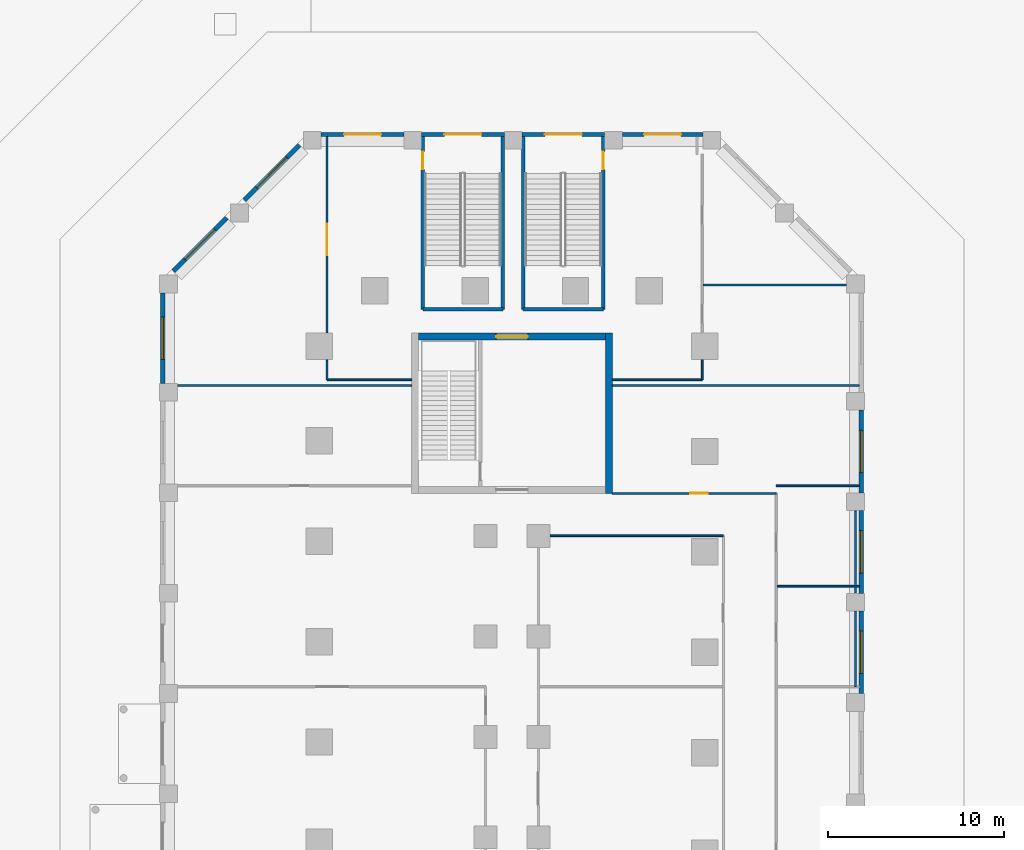
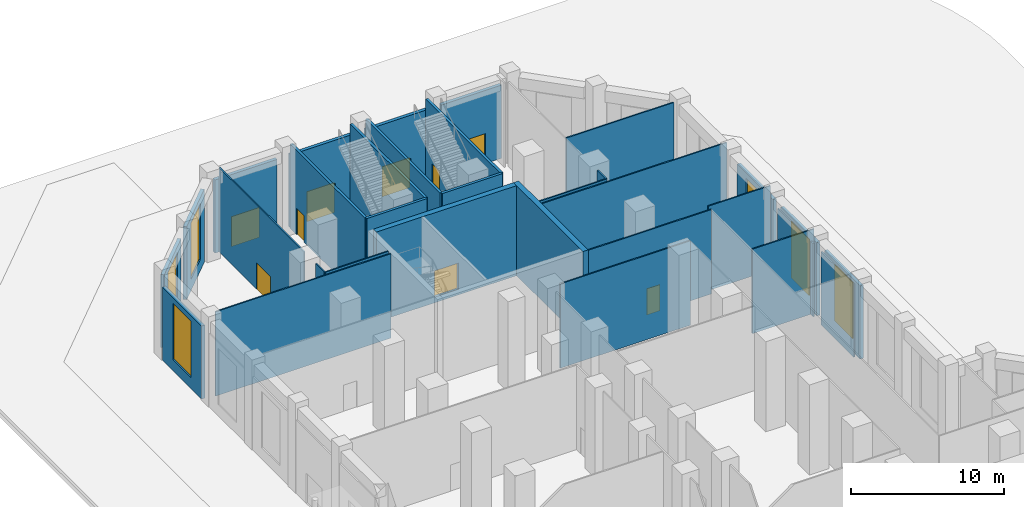
# One storey, part 19 of 27: 32 walls, 9 doors, 6 windows, 15 openings.
"""IFC4 building model written with IfcOpenShell, lengths in metres."""

import ifcopenshell
import ifcopenshell.guid

model = None  # the IFC model being written
_history = None  # IfcOwnerHistory: only IFC2X3 demands one
_inside = {}  # id of a spatial element -> (the spatial element, [elements in it])
_under = {}  # id of a project, library or spatial element -> (it, [spatial elements below it])
_declared = {}  # id of a project -> (the project, [libraries it declares])
_typed = {}  # id of a type object -> (the type object, [elements of that type])
_made_of = {}  # id of a material, layer set ... -> (it, [elements and type objects made of it])


def new_model(schema):
    """Start an empty IFC model of exactly this schema.

    Asked for "IFC4X3", IfcOpenShell would pick the latest addendum, in which some entities
    have other attributes; the version numbers below select the first issue.
    IFC2X3 requires an IfcOwnerHistory on every rooted entity: one is made here for all.
    """
    global model, _history
    if schema == "IFC4X3":
        model = ifcopenshell.file(schema_version=(4, 3, 0, 0))
    else:
        model = ifcopenshell.file(schema=schema)
    _inside.clear()
    _under.clear()
    _declared.clear()
    _typed.clear()
    _made_of.clear()
    _history = None
    if model.schema == "IFC2X3":
        org = make("IfcOrganization", Name="unknown")
        user = make(
            "IfcPersonAndOrganization",
            ThePerson=make("IfcPerson", FamilyName="unknown"),
            TheOrganization=org,
        )
        app = make(
            "IfcApplication",
            ApplicationDeveloper=org,
            Version="unknown",
            ApplicationFullName="unknown",
            ApplicationIdentifier="unknown",
        )
        _history = make(
            "IfcOwnerHistory",
            OwningUser=user,
            OwningApplication=app,
            ChangeAction="ADDED",
            CreationDate=0,
        )
    return model


def make(cls, **values):
    """One entity of the class cls with the attributes given. An attribute that is None is left unset."""
    return model.create_entity(
        cls, **{name: value for name, value in values.items() if value is not None}
    )


def rooted(cls, **values):
    """An entity with a GlobalId (a new one), such as an element, a storey or a relation."""
    return make(cls, GlobalId=ifcopenshell.guid.new(), OwnerHistory=_history, **values)


def si_unit(unit_type, name, prefix=None):
    """IfcSIUnit, for example si_unit("LENGTHUNIT", "METRE", prefix="MILLI")."""
    return make("IfcSIUnit", UnitType=unit_type, Prefix=prefix, Name=name)


def assignment(units):
    """IfcUnitAssignment: the units of a project."""
    return None if units is None else make("IfcUnitAssignment", Units=units)


def point(xyz):
    """IfcCartesianPoint."""
    return None if xyz is None else make("IfcCartesianPoint", Coordinates=xyz)


def direction(xyz):
    """IfcDirection."""
    return None if xyz is None else make("IfcDirection", DirectionRatios=xyz)


def frame(location, z_axis=None, x_axis=None):
    """IfcAxis2Placement3D, a coordinate frame: its origin and axes. An axis left out is left unset."""
    return make(
        "IfcAxis2Placement3D",
        Location=point(location),
        Axis=direction(z_axis),
        RefDirection=direction(x_axis),
    )


def frame_2d(location, x_axis=None):
    """IfcAxis2Placement2D, a coordinate frame in the plane: its origin and x axis."""
    return make(
        "IfcAxis2Placement2D", Location=point(location), RefDirection=direction(x_axis)
    )


def origin():
    """The frame at (0, 0, 0) with its axes left unset."""
    return frame((0.0, 0.0, 0.0))


def place(relative_to, where):
    """IfcLocalPlacement: puts the frame where relative to a parent placement (None: the world)."""
    return make(
        "IfcLocalPlacement", PlacementRelTo=relative_to, RelativePlacement=where
    )


def context(
    kind, dimensions, precision=None, world=None, true_north=None, identifier=None
):
    """IfcGeometricRepresentationContext, for example the 3D "Model" context."""
    return make(
        "IfcGeometricRepresentationContext",
        ContextIdentifier=identifier,
        ContextType=kind,
        CoordinateSpaceDimension=dimensions,
        Precision=precision,
        WorldCoordinateSystem=world,
        TrueNorth=true_north,
    )


def subcontext(parent, identifier, kind, view, scale=None):
    """IfcGeometricRepresentationSubContext, for example "Body" below "Model"."""
    return make(
        "IfcGeometricRepresentationSubContext",
        ContextIdentifier=identifier,
        ContextType=kind,
        ParentContext=parent,
        TargetScale=scale,
        TargetView=view,
    )


def project(units=None, contexts=None):
    """IfcProject with its units and contexts."""
    return rooted(
        "IfcProject",
        Name="project",
        RepresentationContexts=contexts,
        UnitsInContext=assignment(units),
    )


def spatial(cls, under=None, at=None, **own):
    """A site, building, storey or space (cls), placed at a placement, below another one or the project."""
    s = rooted(cls, ObjectPlacement=at, **own)
    if under is not None:
        _under.setdefault(under.id(), (under, []))[1].append(s)
    return s


def profile(cls, at=None, kind="AREA", **sizes):
    """A parametric profile (cls). Its sizes go by their IFC names, for example OverallWidth=200.0."""
    return make(cls, ProfileType=kind, Position=at, **sizes)


def rectangle(**sizes):
    """IfcRectangleProfileDef."""
    return profile("IfcRectangleProfileDef", **sizes)


def extrude(swept, where, along, depth):
    """IfcExtrudedAreaSolid: the profile swept, set in the frame where, extruded along a direction by depth."""
    return make(
        "IfcExtrudedAreaSolid",
        SweptArea=swept,
        Position=where,
        ExtrudedDirection=direction(along),
        Depth=depth,
    )


def shape(context_of_items, identifier, shape_type, items):
    """IfcShapeRepresentation: the items that make up one representation, for example the "Body"."""
    return make(
        "IfcShapeRepresentation",
        ContextOfItems=context_of_items,
        RepresentationIdentifier=identifier,
        RepresentationType=shape_type,
        Items=items,
    )


def material(Name=None, Category=None):
    """IfcMaterial."""
    return make("IfcMaterial", Name=Name, Category=Category)


def layer(
    of_material, thickness, ventilated=None, Name=None, Category=None, Priority=None
):
    """IfcMaterialLayer: one layer of a wall or slab, of a material (None: an air gap)."""
    return make(
        "IfcMaterialLayer",
        Material=of_material,
        LayerThickness=thickness,
        IsVentilated=ventilated,
        Name=Name,
        Category=Category,
        Priority=Priority,
    )


def layer_set(layers, Name=None):
    """IfcMaterialLayerSet."""
    return make("IfcMaterialLayerSet", MaterialLayers=layers, LayerSetName=Name)


def made_of(thing, what):
    """Note that an element or type object is made of a material, layer set ...; save() writes the relation."""
    if what is not None:
        _made_of.setdefault(what.id(), (what, []))[1].append(thing)
    return thing


def type_object(cls, material=None, **own):
    """A type object (cls), such as IfcWallType, which elements share."""
    return made_of(rooted(cls, **own), material)


def element(
    cls,
    number,
    at=None,
    inside=None,
    cuts=None,
    type_object=None,
    material=None,
    context=None,
    identifier="Body",
    shape_type=None,
    held_by="IfcProductDefinitionShape",
    body=None,
    shapes=None,
    **own,
):
    """One element of the class cls, such as IfcWall. Its Tag is "e" and its number.

    at: its placement. inside: the storey or other place that contains it. cuts: it is an
    opening in that element (IfcRelVoidsElement). A single representation is given by context,
    identifier, shape_type and body (its items); several are given by shapes. held_by: the class
    of the entity that holds the representations. save() writes the other relations.
    """
    e = rooted(cls, Tag="e%d" % number, ObjectPlacement=at, **own)
    if body is not None:
        shapes = [shape(context, identifier, shape_type, body)]
    if shapes is not None:
        e.Representation = make(held_by, Representations=shapes)
    if inside is not None:
        _inside.setdefault(inside.id(), (inside, []))[1].append(e)
    if cuts is not None:
        rooted(
            "IfcRelVoidsElement", RelatingBuildingElement=cuts, RelatedOpeningElement=e
        )
    if type_object is not None:
        _typed.setdefault(type_object.id(), (type_object, []))[1].append(e)
    return made_of(e, material)


def fill(opening, filler):
    """IfcRelFillsElement: the door or window that sits in an opening."""
    return rooted(
        "IfcRelFillsElement",
        RelatingOpeningElement=opening,
        RelatedBuildingElement=filler,
    )


def aggregate(whole, parts):
    """IfcRelAggregates: a whole, such as a stair, and the parts it consists of."""
    return rooted("IfcRelAggregates", RelatingObject=whole, RelatedObjects=parts)


def save(model, path):
    """Write the relations noted so far, then the file.

    IfcRelAggregates (storeys below a building ...), IfcRelContainedInSpatialStructure (elements
    in a storey), IfcRelDefinesByType, IfcRelAssociatesMaterial and IfcRelDeclares: one each for
    every whole, place, type object, material and project.
    """
    for whole, parts in _under.values():
        aggregate(whole, parts)
    for where, things in _inside.values():
        rooted(
            "IfcRelContainedInSpatialStructure",
            RelatedElements=things,
            RelatingStructure=where,
        )
    for kind, things in _typed.values():
        rooted("IfcRelDefinesByType", RelatedObjects=things, RelatingType=kind)
    for what, things in _made_of.values():
        rooted("IfcRelAssociatesMaterial", RelatedObjects=things, RelatingMaterial=what)
    for by, libraries in _declared.values():
        rooted("IfcRelDeclares", RelatingContext=by, RelatedDefinitions=libraries)
    model.write(path)


model = new_model("IFC4")

# Units and contexts
model_context = context("Model", 3, precision=1e-05, world=origin(), true_north=direction((0.0, 1.0)))
body_context = subcontext(model_context, "Body", "Model", "MODEL_VIEW")
ifc_project = project(units=[si_unit("LENGTHUNIT", "METRE"), si_unit("AREAUNIT", "SQUARE_METRE"), si_unit("VOLUMEUNIT", "CUBIC_METRE"), si_unit("PLANEANGLEUNIT", "RADIAN"), si_unit("MASSUNIT", "GRAM", prefix="KILO")], contexts=[model_context])

# Site, building, storey
site_placement = place(None, origin())
site = spatial("IfcSite", under=ifc_project, at=site_placement, CompositionType="ELEMENT")
building_placement = place(site_placement, origin())
building = spatial("IfcBuilding", under=site, at=building_placement, Name="Meshkara Civic Tower", CompositionType="ELEMENT")
storey_placement = place(building_placement, origin())
storey = spatial("IfcBuildingStorey", under=building, at=storey_placement, Name="L00", CompositionType="ELEMENT", Elevation=0.0)

# Walls
ifc_material_1 = material(Name="Corridor wall 100")
ifc_layer_1 = layer(ifc_material_1, 0.10009765625)
ifc_layer_set_1 = layer_set([ifc_layer_1], Name="Corridor wall 100")
wall_type_1 = type_object("IfcWallType", Name="Corridor wall 100", PredefinedType="PARTITIONING", material=ifc_layer_set_1)
wall_1_placement = place(storey_placement, frame((0.89990234375, 77.719970703125, 0.0), z_axis=(0.0, 0.0, 1.0), x_axis=(1.0, 0.0, 0.0)))
element("IfcWall", 1, at=wall_1_placement, inside=storey, type_object=wall_type_1, Name="L00-R002", PredefinedType="PARTITIONING", context=body_context, shape_type="SweptSolid", body=[
    extrude(rectangle(XDim=4.800048828125, YDim=0.10009765625, at=frame_2d((2.39990234375, 0.0))), origin(), (0.0, 0.0, 1.0), 6.75),
])
wall_2_placement = place(storey_placement, frame((0.89990234375, 78.843994140625, 0.0), z_axis=(0.0, 0.0, 1.0), x_axis=(0.0, -1.0, 0.0)))
element("IfcWall", 2, at=wall_2_placement, inside=storey, type_object=wall_type_1, Name="L00-R003", PredefinedType="PARTITIONING", context=body_context, shape_type="SweptSolid", body=[
    extrude(rectangle(XDim=1.1240234375, YDim=0.10009765625, at=frame_2d((0.56201171875, 0.0))), origin(), (0.0, 0.0, 1.0), 6.75),
])

# Wall, opening, door
wall_3_placement = place(storey_placement, frame((0.89990234375, 91.52001953125, 0.0), z_axis=(0.0, 0.0, 1.0), x_axis=(0.0, -1.0, 0.0)))
wall_3 = element("IfcWall", 3, at=wall_3_placement, inside=storey, type_object=wall_type_1, Name="L00-R004", PredefinedType="PARTITIONING", context=body_context, shape_type="SweptSolid", body=[
    extrude(rectangle(XDim=11.135986328125, YDim=0.10009765625, at=frame_2d((5.56787109375, 0.0))), origin(), (0.0, 0.0, 1.0), 6.75),
])
opening_1_placement = place(wall_3_placement, frame((4.929931640625, 0.0, 0.0)))
opening_1 = element("IfcOpeningElement", 4, at=opening_1_placement, cuts=wall_3, Name="Opening L00-P037", PredefinedType="OPENING", context=body_context, shape_type="SweptSolid", body=[
    extrude(rectangle(XDim=1.800048828125, YDim=2.10009765625, at=frame_2d((0.89990234375, 1.050048828125))), frame((0.0, 0.06005859375, 0.0), z_axis=(0.0, -1.0, 0.0), x_axis=(1.0, 0.0, 0.0)), (0.0, 0.0, 1.0), 0.1201171875),
])
ifc_material_2 = material(Name="Door pair 1800 x 2100")
door_type_1 = type_object("IfcDoorType", Name="Door pair 1800 x 2100", OperationType="SINGLE_SWING_LEFT", PredefinedType="DOOR", material=ifc_material_2)
door_1_placement = place(opening_1_placement, origin())
door_1 = element("IfcDoor", 5, at=door_1_placement, inside=storey, type_object=door_type_1, Name="L00-P037", OperationType="DOUBLE_DOOR_SINGLE_SWING", OverallHeight=2.10009765625, OverallWidth=1.800048828125, PredefinedType="DOOR", context=body_context, shape_type="SweptSolid", body=[
    extrude(rectangle(XDim=1.800048828125, YDim=2.10009765625, at=frame_2d((0.89990234375, 1.050048828125))), frame((0.0, 0.02490234375, 0.0), z_axis=(0.0, -1.0, 0.0), x_axis=(1.0, 0.0, 0.0)), (0.0, 0.0, 1.0), 0.050048828125),
])
fill(opening_1, door_1)

# Walls
wall_4_placement = place(storey_placement, frame((13.570068359375, 68.8701171875, 0.0), z_axis=(0.0, 0.0, 1.0), x_axis=(1.0, 0.0, 0.0)))
element("IfcWall", 6, at=wall_4_placement, inside=storey, type_object=wall_type_1, Name="L00-R024", PredefinedType="PARTITIONING", context=body_context, shape_type="SweptSolid", body=[
    extrude(rectangle(XDim=9.829833984375, YDim=0.10009765625, at=frame_2d((4.9150390625, 0.0))), origin(), (0.0, 0.0, 1.0), 6.75),
])
wall_5_placement = place(storey_placement, frame((17.10009765625, 77.719970703125, 0.0), z_axis=(0.0, 0.0, 1.0), x_axis=(1.0, 0.0, 0.0)))
element("IfcWall", 7, at=wall_5_placement, inside=storey, type_object=wall_type_1, Name="L00-R027", PredefinedType="PARTITIONING", context=body_context, shape_type="SweptSolid", body=[
    extrude(rectangle(XDim=5.099853515625, YDim=0.10009765625, at=frame_2d((2.5498046875, 0.0))), origin(), (0.0, 0.0, 1.0), 6.75),
])
wall_6_placement = place(storey_placement, frame((22.199951171875, 77.719970703125, 0.0), z_axis=(0.0, 0.0, 1.0), x_axis=(0.0, 1.0, 0.0)))
element("IfcWall", 8, at=wall_6_placement, inside=storey, type_object=wall_type_1, Name="L00-R030", PredefinedType="PARTITIONING", context=body_context, shape_type="SweptSolid", body=[
    extrude(rectangle(XDim=1.1240234375, YDim=0.10009765625, at=frame_2d((0.56201171875, 0.0))), origin(), (0.0, 0.0, 1.0), 6.75),
])

# Wall, opening, door
wall_7_placement = place(storey_placement, frame((26.39990234375, 71.27001953125, 0.0), z_axis=(0.0, 0.0, 1.0), x_axis=(-1.0, 0.0, 0.0)))
wall_7 = element("IfcWall", 9, at=wall_7_placement, inside=storey, type_object=wall_type_1, Name="L00-R037", PredefinedType="PARTITIONING", context=body_context, shape_type="SweptSolid", body=[
    extrude(rectangle(XDim=9.2998046875, YDim=0.10009765625, at=frame_2d((4.64990234375, 0.0))), origin(), (0.0, 0.0, 1.0), 6.75),
])
opening_2_placement = place(wall_7_placement, frame((3.8798828125, 0.0, 0.0)))
opening_2 = element("IfcOpeningElement", 10, at=opening_2_placement, cuts=wall_7, Name="Opening L00-P034", PredefinedType="OPENING", context=body_context, shape_type="SweptSolid", body=[
    extrude(rectangle(XDim=1.0, YDim=2.10009765625, at=frame_2d((0.5, 1.050048828125))), frame((0.0, 0.06005859375, 0.0), z_axis=(0.0, -1.0, 0.0), x_axis=(1.0, 0.0, 0.0)), (0.0, 0.0, 1.0), 0.1201171875),
])
ifc_material_3 = material(Name="Door 1000 x 2100")
door_type_2 = type_object("IfcDoorType", Name="Door 1000 x 2100", OperationType="SINGLE_SWING_LEFT", PredefinedType="DOOR", material=ifc_material_3)
door_2_placement = place(opening_2_placement, origin())
door_2 = element("IfcDoor", 11, at=door_2_placement, inside=storey, type_object=door_type_2, Name="L00-P034", OperationType="SINGLE_SWING_RIGHT", OverallHeight=2.10009765625, OverallWidth=1.0, PredefinedType="DOOR", context=body_context, shape_type="SweptSolid", body=[
    extrude(rectangle(XDim=1.0, YDim=2.10009765625, at=frame_2d((0.5, 1.050048828125))), frame((0.0, 0.02490234375, 0.0), z_axis=(0.0, -1.0, 0.0), x_axis=(1.0, 0.0, 0.0)), (0.0, 0.0, 1.0), 0.050048828125),
])
fill(opening_2, door_2)

# Wall
ifc_material_4 = material(Name="Concrete C80", Category="concrete")
ifc_layer_2 = layer(ifc_material_4, 0.39990234375)
ifc_layer_set_2 = layer_set([ifc_layer_2], Name="End core ring wall 400 C80")
wall_type_2 = type_object("IfcWallType", Name="End core ring wall 400 C80", PredefinedType="SHEAR", material=ifc_layer_set_2)
wall_8_placement = place(storey_placement, frame((16.89990234375, 71.27001953125, -0.449951171875), z_axis=(0.0, 0.0, 1.0), x_axis=(0.0, 1.0, 0.0)))
element("IfcWall", 12, at=wall_8_placement, inside=storey, type_object=wall_type_2, Name="L00-C026", PredefinedType="SHEAR", context=body_context, shape_type="SweptSolid", body=[
    extrude(rectangle(XDim=9.10009765625, YDim=0.39990234375, at=frame_2d((4.550048828125, 0.0))), origin(), (0.0, 0.0, 1.0), 7.199951171875),
])

# Wall, opening, door
wall_9_placement = place(storey_placement, frame((6.10009765625, 80.169921875, -0.449951171875), z_axis=(0.0, 0.0, 1.0), x_axis=(1.0, 0.0, 0.0)))
wall_9 = element("IfcWall", 13, at=wall_9_placement, inside=storey, type_object=wall_type_2, Name="L00-C028", PredefinedType="SHEAR", context=body_context, shape_type="SweptSolid", body=[
    extrude(rectangle(XDim=10.599853515625, YDim=0.39990234375, at=frame_2d((5.2998046875, 0.0))), origin(), (0.0, 0.0, 1.0), 7.199951171875),
])
opening_3_placement = place(wall_9_placement, frame((4.39990234375, 0.0, 0.449951171875)))
opening_3 = element("IfcOpeningElement", 14, at=opening_3_placement, cuts=wall_9, Name="Opening L00-K103", PredefinedType="OPENING", context=body_context, shape_type="SweptSolid", body=[
    extrude(rectangle(XDim=1.800048828125, YDim=2.10009765625, at=frame_2d((0.89990234375, 1.050048828125))), frame((0.0, 0.2099609375, 0.0), z_axis=(0.0, -1.0, 0.0), x_axis=(1.0, 0.0, 0.0)), (0.0, 0.0, 1.0), 0.419921875),
])
ifc_material_5 = material(Name="Fire-rated door leaf in steel frame", Category="steel")
door_type_3 = type_object("IfcDoorType", Name="Core double door 1800 EI 120", OperationType="DOUBLE_DOOR_SINGLE_SWING", PredefinedType="DOOR", material=ifc_material_5)
door_3_placement = place(opening_3_placement, origin())
door_3 = element("IfcDoor", 15, at=door_3_placement, inside=storey, type_object=door_type_3, Name="L00-K103", OperationType="DOUBLE_DOOR_SINGLE_SWING", OverallHeight=2.10009765625, OverallWidth=1.800048828125, PredefinedType="DOOR", context=body_context, shape_type="SweptSolid", body=[
    extrude(rectangle(XDim=1.800048828125, YDim=2.10009765625, at=frame_2d((0.89990234375, 1.050048828125))), frame((0.0, 0.02490234375, 0.0), z_axis=(0.0, -1.0, 0.0), x_axis=(1.0, 0.0, 0.0)), (0.0, 0.0, 1.0), 0.050048828125),
])
fill(opening_3, door_3)

ifc_material_6 = material(Name="Stone cladding on insulated backing wall", Category="masonry")
ifc_layer_3 = layer(ifc_material_6, 0.25)
ifc_layer_set_3 = layer_set([ifc_layer_3], Name="PODIUM STONE WALL 250")
wall_type_3 = type_object("IfcWallType", Name="PODIUM STONE WALL 250", PredefinedType="SOLIDWALL", material=ifc_layer_set_3)
wall_10_placement = place(storey_placement, frame((22.236083984375, 91.64501953125, 0.0), z_axis=(0.0, 0.0, 1.0), x_axis=(-1.0, 0.0, 0.0)))
wall_10 = element("IfcWall", 16, at=wall_10_placement, inside=storey, type_object=wall_type_3, Name="Podium external wall", PredefinedType="SOLIDWALL", context=body_context, shape_type="SweptSolid", body=[
    extrude(rectangle(XDim=4.572021484375, YDim=0.25, at=frame_2d((2.2861328125, 0.0))), origin(), (0.0, 0.0, 1.0), 5.85009765625),
])
opening_4_placement = place(wall_10_placement, frame((1.236083984375, 0.0, 0.0)))
opening_4 = element("IfcOpeningElement", 17, at=opening_4_placement, cuts=wall_10, Name="Opening L00-G001", PredefinedType="OPENING", context=body_context, shape_type="SweptSolid", body=[
    extrude(rectangle(XDim=2.10009765625, YDim=2.39990234375, at=frame_2d((1.050048828125, 1.199951171875))), frame((0.0, 0.135009765625, 0.0), z_axis=(0.0, -1.0, 0.0), x_axis=(1.0, 0.0, 0.0)), (0.0, 0.0, 1.0), 0.27001953125),
])
ifc_material_7 = material(Name="Steel S355", Category="steel")
door_type_4 = type_object("IfcDoorType", Name="EXIT DOOR PAIR 2100x2400", OperationType="DOUBLE_DOOR_DOUBLE_SWING", PredefinedType="DOOR", material=ifc_material_7)
door_4_placement = place(opening_4_placement, origin())
door_4 = element("IfcDoor", 18, at=door_4_placement, inside=storey, type_object=door_type_4, Name="L00-G001", OperationType="DOUBLE_DOOR_DOUBLE_SWING", OverallHeight=2.39990234375, OverallWidth=2.10009765625, PredefinedType="DOOR", context=body_context, shape_type="SweptSolid", body=[
    extrude(rectangle(XDim=2.10009765625, YDim=2.39990234375, at=frame_2d((1.050048828125, 1.199951171875))), frame((0.0, 0.02490234375, 0.0), z_axis=(0.0, -1.0, 0.0), x_axis=(1.0, 0.0, 0.0)), (0.0, 0.0, 1.0), 0.050048828125),
])
fill(opening_4, door_4)

wall_11_placement = place(storey_placement, frame((16.6640625, 91.64501953125, 0.0), z_axis=(0.0, 0.0, 1.0), x_axis=(-1.0, 0.0, 0.0)))
wall_11 = element("IfcWall", 19, at=wall_11_placement, inside=storey, type_object=wall_type_3, Name="Podium external wall", PredefinedType="SOLIDWALL", context=body_context, shape_type="SweptSolid", body=[
    extrude(rectangle(XDim=4.699951171875, YDim=0.25, at=frame_2d((2.35009765625, 0.0))), origin(), (0.0, 0.0, 1.0), 5.85009765625),
])
opening_5_placement = place(wall_11_placement, frame((1.300048828125, 0.0, 0.0)))
opening_5 = element("IfcOpeningElement", 20, at=opening_5_placement, cuts=wall_11, Name="Opening L00-G002", PredefinedType="OPENING", context=body_context, shape_type="SweptSolid", body=[
    extrude(rectangle(XDim=2.10009765625, YDim=2.39990234375, at=frame_2d((1.050048828125, 1.199951171875))), frame((0.0, 0.135009765625, 0.0), z_axis=(0.0, -1.0, 0.0), x_axis=(1.0, 0.0, 0.0)), (0.0, 0.0, 1.0), 0.27001953125),
])
door_5_placement = place(opening_5_placement, origin())
door_5 = element("IfcDoor", 21, at=door_5_placement, inside=storey, type_object=door_type_4, Name="L00-G002", OperationType="DOUBLE_DOOR_DOUBLE_SWING", OverallHeight=2.39990234375, OverallWidth=2.10009765625, PredefinedType="DOOR", context=body_context, shape_type="SweptSolid", body=[
    extrude(rectangle(XDim=2.10009765625, YDim=2.39990234375, at=frame_2d((1.050048828125, 1.199951171875))), frame((0.0, 0.02490234375, 0.0), z_axis=(0.0, -1.0, 0.0), x_axis=(1.0, 0.0, 0.0)), (0.0, 0.0, 1.0), 0.050048828125),
])
fill(opening_5, door_5)

wall_12_placement = place(storey_placement, frame((10.964111328125, 91.64501953125, 0.0), z_axis=(0.0, 0.0, 1.0), x_axis=(-1.0, 0.0, 0.0)))
wall_12 = element("IfcWall", 22, at=wall_12_placement, inside=storey, type_object=wall_type_3, Name="Podium external wall", PredefinedType="SOLIDWALL", context=body_context, shape_type="SweptSolid", body=[
    extrude(rectangle(XDim=4.7001953125, YDim=0.25, at=frame_2d((2.35009765625, 0.0))), origin(), (0.0, 0.0, 1.0), 5.85009765625),
])
opening_6_placement = place(wall_12_placement, frame((1.300048828125, 0.0, 0.0)))
opening_6 = element("IfcOpeningElement", 23, at=opening_6_placement, cuts=wall_12, Name="Opening L00-G003", PredefinedType="OPENING", context=body_context, shape_type="SweptSolid", body=[
    extrude(rectangle(XDim=2.10009765625, YDim=2.39990234375, at=frame_2d((1.050048828125, 1.199951171875))), frame((0.0, 0.135009765625, 0.0), z_axis=(0.0, -1.0, 0.0), x_axis=(1.0, 0.0, 0.0)), (0.0, 0.0, 1.0), 0.27001953125),
])
door_6_placement = place(opening_6_placement, origin())
door_6 = element("IfcDoor", 24, at=door_6_placement, inside=storey, type_object=door_type_4, Name="L00-G003", OperationType="DOUBLE_DOOR_DOUBLE_SWING", OverallHeight=2.39990234375, OverallWidth=2.10009765625, PredefinedType="DOOR", context=body_context, shape_type="SweptSolid", body=[
    extrude(rectangle(XDim=2.10009765625, YDim=2.39990234375, at=frame_2d((1.050048828125, 1.199951171875))), frame((0.0, 0.02490234375, 0.0), z_axis=(0.0, -1.0, 0.0), x_axis=(1.0, 0.0, 0.0)), (0.0, 0.0, 1.0), 0.050048828125),
])
fill(opening_6, door_6)

wall_13_placement = place(storey_placement, frame((5.263916015625, 91.64501953125, 0.0), z_axis=(0.0, 0.0, 1.0), x_axis=(-1.0, 0.0, 0.0)))
wall_13 = element("IfcWall", 25, at=wall_13_placement, inside=storey, type_object=wall_type_3, Name="Podium external wall", PredefinedType="SOLIDWALL", context=body_context, shape_type="SweptSolid", body=[
    extrude(rectangle(XDim=4.699951171875, YDim=0.25, at=frame_2d((2.35009765625, 0.0))), origin(), (0.0, 0.0, 1.0), 5.85009765625),
])
opening_7_placement = place(wall_13_placement, frame((1.300048828125, 0.0, 0.0)))
opening_7 = element("IfcOpeningElement", 26, at=opening_7_placement, cuts=wall_13, Name="Opening L00-G004", PredefinedType="OPENING", context=body_context, shape_type="SweptSolid", body=[
    extrude(rectangle(XDim=2.10009765625, YDim=2.39990234375, at=frame_2d((1.050048828125, 1.199951171875))), frame((0.0, 0.135009765625, 0.0), z_axis=(0.0, -1.0, 0.0), x_axis=(1.0, 0.0, 0.0)), (0.0, 0.0, 1.0), 0.27001953125),
])
door_7_placement = place(opening_7_placement, origin())
door_7 = element("IfcDoor", 27, at=door_7_placement, inside=storey, type_object=door_type_4, Name="L00-G004", OperationType="DOUBLE_DOOR_DOUBLE_SWING", OverallHeight=2.39990234375, OverallWidth=2.10009765625, PredefinedType="DOOR", context=body_context, shape_type="SweptSolid", body=[
    extrude(rectangle(XDim=2.10009765625, YDim=2.39990234375, at=frame_2d((1.050048828125, 1.199951171875))), frame((0.0, 0.02490234375, 0.0), z_axis=(0.0, -1.0, 0.0), x_axis=(1.0, 0.0, 0.0)), (0.0, 0.0, 1.0), 0.050048828125),
])
fill(opening_7, door_7)

# Wall, opening, window
wall_14_placement = place(storey_placement, frame((-0.666015625, 91.050048828125, 0.0), z_axis=(0.0, 0.0, 1.0), x_axis=(-0.707106781187, -0.707106781187, 0.0)))
wall_14 = element("IfcWall", 28, at=wall_14_placement, inside=storey, type_object=wall_type_3, Name="Podium external wall", PredefinedType="SOLIDWALL", context=body_context, shape_type="SweptSolid", body=[
    extrude(rectangle(XDim=4.430908203125, YDim=0.25, at=frame_2d((2.21533203125, 0.0))), origin(), (0.0, 0.0, 1.0), 5.85009765625),
])
opening_8_placement = place(wall_14_placement, frame((1.014892578125, 0.0, 0.89990234375)))
opening_8 = element("IfcOpeningElement", 29, at=opening_8_placement, cuts=wall_14, Name="Opening PW1", PredefinedType="OPENING", context=body_context, shape_type="SweptSolid", body=[
    extrude(rectangle(XDim=2.39990234375, YDim=4.5, at=frame_2d((1.199951171875, 2.25))), frame((0.0, 0.135009765625, 0.0), z_axis=(0.0, -1.0, 0.0), x_axis=(1.0, 0.0, 0.0)), (0.0, 0.0, 1.0), 0.27001953125),
])
ifc_material_8 = material(Name="Tinted double glazing", Category="glass")
window_type = type_object("IfcWindowType", Name="PODIUM WINDOW 2400x4500", PartitioningType="DOUBLE_PANEL_VERTICAL", PredefinedType="WINDOW", material=ifc_material_8)
window_1_placement = place(opening_8_placement, origin())
window_1 = element("IfcWindow", 30, at=window_1_placement, inside=storey, type_object=window_type, Name="Podium window", OverallHeight=4.5, OverallWidth=2.39990234375, PartitioningType="DOUBLE_PANEL_VERTICAL", PredefinedType="WINDOW", context=body_context, shape_type="SweptSolid", body=[
    extrude(rectangle(XDim=2.39990234375, YDim=4.5, at=frame_2d((1.199951171875, 2.25))), frame((0.0, 0.030029296875, 0.0), z_axis=(0.0, -1.0, 0.0), x_axis=(1.0, 0.0, 0.0)), (0.0, 0.0, 1.0), 0.06005859375),
])
fill(opening_8, window_1)

wall_15_placement = place(storey_placement, frame((-4.799072265625, 86.9169921875, 0.0), z_axis=(0.0, 0.0, 1.0), x_axis=(-0.707106781187, -0.707106781187, 0.0)))
wall_15 = element("IfcWall", 31, at=wall_15_placement, inside=storey, type_object=wall_type_3, Name="Podium external wall", PredefinedType="SOLIDWALL", context=body_context, shape_type="SweptSolid", body=[
    extrude(rectangle(XDim=4.286376953125, YDim=0.25, at=frame_2d((2.14306640625, 0.0))), origin(), (0.0, 0.0, 1.0), 5.85009765625),
])
opening_9_placement = place(wall_15_placement, frame((0.943115234375, 0.0, 0.89990234375)))
opening_9 = element("IfcOpeningElement", 32, at=opening_9_placement, cuts=wall_15, Name="Opening PW1", PredefinedType="OPENING", context=body_context, shape_type="SweptSolid", body=[
    extrude(rectangle(XDim=2.39990234375, YDim=4.5, at=frame_2d((1.199951171875, 2.25))), frame((0.0, 0.135009765625, 0.0), z_axis=(0.0, -1.0, 0.0), x_axis=(1.0, 0.0, 0.0)), (0.0, 0.0, 1.0), 0.27001953125),
])
window_2_placement = place(opening_9_placement, origin())
window_2 = element("IfcWindow", 33, at=window_2_placement, inside=storey, type_object=window_type, Name="Podium window", OverallHeight=4.5, OverallWidth=2.39990234375, PartitioningType="DOUBLE_PANEL_VERTICAL", PredefinedType="WINDOW", context=body_context, shape_type="SweptSolid", body=[
    extrude(rectangle(XDim=2.39990234375, YDim=4.5, at=frame_2d((1.199951171875, 2.25))), frame((0.0, 0.030029296875, 0.0), z_axis=(0.0, -1.0, 0.0), x_axis=(1.0, 0.0, 0.0)), (0.0, 0.0, 1.0), 0.06005859375),
])
fill(opening_9, window_2)

wall_16_placement = place(storey_placement, frame((-8.425048828125, 82.656005859375, 0.0), z_axis=(0.0, 0.0, 1.0), x_axis=(0.0, -1.0, 0.0)))
wall_16 = element("IfcWall", 34, at=wall_16_placement, inside=storey, type_object=wall_type_3, Name="Podium external wall", PredefinedType="SOLIDWALL", context=body_context, shape_type="SweptSolid", body=[
    extrude(rectangle(XDim=5.14501953125, YDim=0.25, at=frame_2d((2.572509765625, 0.0))), origin(), (0.0, 0.0, 1.0), 5.85009765625),
])
opening_10_placement = place(wall_16_placement, frame((1.373046875, 0.0, 0.89990234375)))
opening_10 = element("IfcOpeningElement", 35, at=opening_10_placement, cuts=wall_16, Name="Opening PW1", PredefinedType="OPENING", context=body_context, shape_type="SweptSolid", body=[
    extrude(rectangle(XDim=2.39990234375, YDim=4.5, at=frame_2d((1.199951171875, 2.25))), frame((0.0, 0.135009765625, 0.0), z_axis=(0.0, -1.0, 0.0), x_axis=(1.0, 0.0, 0.0)), (0.0, 0.0, 1.0), 0.27001953125),
])
window_3_placement = place(opening_10_placement, origin())
window_3 = element("IfcWindow", 36, at=window_3_placement, inside=storey, type_object=window_type, Name="Podium window", OverallHeight=4.5, OverallWidth=2.39990234375, PartitioningType="DOUBLE_PANEL_VERTICAL", PredefinedType="WINDOW", context=body_context, shape_type="SweptSolid", body=[
    extrude(rectangle(XDim=2.39990234375, YDim=4.5, at=frame_2d((1.199951171875, 2.25))), frame((0.0, 0.030029296875, 0.0), z_axis=(0.0, -1.0, 0.0), x_axis=(1.0, 0.0, 0.0)), (0.0, 0.0, 1.0), 0.06005859375),
])
fill(opening_10, window_3)

wall_17_placement = place(storey_placement, frame((31.22509765625, 59.89990234375, 0.0), z_axis=(0.0, 0.0, 1.0), x_axis=(0.0, 1.0, 0.0)))
wall_17 = element("IfcWall", 37, at=wall_17_placement, inside=storey, type_object=wall_type_3, Name="Podium external wall", PredefinedType="SOLIDWALL", context=body_context, shape_type="SweptSolid", body=[
    extrude(rectangle(XDim=4.7001953125, YDim=0.25, at=frame_2d((2.35009765625, 0.0))), origin(), (0.0, 0.0, 1.0), 5.85009765625),
])
opening_11_placement = place(wall_17_placement, frame((1.14990234375, 0.0, 0.89990234375)))
opening_11 = element("IfcOpeningElement", 38, at=opening_11_placement, cuts=wall_17, Name="Opening PW1", PredefinedType="OPENING", context=body_context, shape_type="SweptSolid", body=[
    extrude(rectangle(XDim=2.39990234375, YDim=4.5, at=frame_2d((1.199951171875, 2.25))), frame((0.0, 0.135009765625, 0.0), z_axis=(0.0, -1.0, 0.0), x_axis=(1.0, 0.0, 0.0)), (0.0, 0.0, 1.0), 0.27001953125),
])
window_4_placement = place(opening_11_placement, origin())
window_4 = element("IfcWindow", 39, at=window_4_placement, inside=storey, type_object=window_type, Name="Podium window", OverallHeight=4.5, OverallWidth=2.39990234375, PartitioningType="DOUBLE_PANEL_VERTICAL", PredefinedType="WINDOW", context=body_context, shape_type="SweptSolid", body=[
    extrude(rectangle(XDim=2.39990234375, YDim=4.5, at=frame_2d((1.199951171875, 2.25))), frame((0.0, 0.030029296875, 0.0), z_axis=(0.0, -1.0, 0.0), x_axis=(1.0, 0.0, 0.0)), (0.0, 0.0, 1.0), 0.06005859375),
])
fill(opening_11, window_4)

wall_18_placement = place(storey_placement, frame((31.22509765625, 65.60009765625, 0.0), z_axis=(0.0, 0.0, 1.0), x_axis=(0.0, 1.0, 0.0)))
wall_18 = element("IfcWall", 40, at=wall_18_placement, inside=storey, type_object=wall_type_3, Name="Podium external wall", PredefinedType="SOLIDWALL", context=body_context, shape_type="SweptSolid", body=[
    extrude(rectangle(XDim=4.699951171875, YDim=0.25, at=frame_2d((2.35009765625, 0.0))), origin(), (0.0, 0.0, 1.0), 5.85009765625),
])
opening_12_placement = place(wall_18_placement, frame((1.14990234375, 0.0, 0.89990234375)))
opening_12 = element("IfcOpeningElement", 41, at=opening_12_placement, cuts=wall_18, Name="Opening PW1", PredefinedType="OPENING", context=body_context, shape_type="SweptSolid", body=[
    extrude(rectangle(XDim=2.39990234375, YDim=4.5, at=frame_2d((1.199951171875, 2.25))), frame((0.0, 0.135009765625, 0.0), z_axis=(0.0, -1.0, 0.0), x_axis=(1.0, 0.0, 0.0)), (0.0, 0.0, 1.0), 0.27001953125),
])
window_5_placement = place(opening_12_placement, origin())
window_5 = element("IfcWindow", 42, at=window_5_placement, inside=storey, type_object=window_type, Name="Podium window", OverallHeight=4.5, OverallWidth=2.39990234375, PartitioningType="DOUBLE_PANEL_VERTICAL", PredefinedType="WINDOW", context=body_context, shape_type="SweptSolid", body=[
    extrude(rectangle(XDim=2.39990234375, YDim=4.5, at=frame_2d((1.199951171875, 2.25))), frame((0.0, 0.030029296875, 0.0), z_axis=(0.0, -1.0, 0.0), x_axis=(1.0, 0.0, 0.0)), (0.0, 0.0, 1.0), 0.06005859375),
])
fill(opening_12, window_5)

wall_19_placement = place(storey_placement, frame((31.22509765625, 71.300048828125, 0.0), z_axis=(0.0, 0.0, 1.0), x_axis=(0.0, 1.0, 0.0)))
wall_19 = element("IfcWall", 43, at=wall_19_placement, inside=storey, type_object=wall_type_3, Name="Podium external wall", PredefinedType="SOLIDWALL", context=body_context, shape_type="SweptSolid", body=[
    extrude(rectangle(XDim=4.699951171875, YDim=0.25, at=frame_2d((2.35009765625, 0.0))), origin(), (0.0, 0.0, 1.0), 5.85009765625),
])
opening_13_placement = place(wall_19_placement, frame((1.14990234375, 0.0, 0.89990234375)))
opening_13 = element("IfcOpeningElement", 44, at=opening_13_placement, cuts=wall_19, Name="Opening PW1", PredefinedType="OPENING", context=body_context, shape_type="SweptSolid", body=[
    extrude(rectangle(XDim=2.39990234375, YDim=4.5, at=frame_2d((1.199951171875, 2.25))), frame((0.0, 0.135009765625, 0.0), z_axis=(0.0, -1.0, 0.0), x_axis=(1.0, 0.0, 0.0)), (0.0, 0.0, 1.0), 0.27001953125),
])
window_6_placement = place(opening_13_placement, origin())
window_6 = element("IfcWindow", 45, at=window_6_placement, inside=storey, type_object=window_type, Name="Podium window", OverallHeight=4.5, OverallWidth=2.39990234375, PartitioningType="DOUBLE_PANEL_VERTICAL", PredefinedType="WINDOW", context=body_context, shape_type="SweptSolid", body=[
    extrude(rectangle(XDim=2.39990234375, YDim=4.5, at=frame_2d((1.199951171875, 2.25))), frame((0.0, 0.030029296875, 0.0), z_axis=(0.0, -1.0, 0.0), x_axis=(1.0, 0.0, 0.0)), (0.0, 0.0, 1.0), 0.06005859375),
])
fill(opening_13, window_6)

# Walls
ifc_material_9 = material(Name="Partition 100")
ifc_layer_4 = layer(ifc_material_9, 0.10009765625)
ifc_layer_set_4 = layer_set([ifc_layer_4], Name="Partition 100")
wall_type_4 = type_object("IfcWallType", Name="Partition 100", PredefinedType="PARTITIONING", material=ifc_layer_set_4)
wall_20_placement = place(storey_placement, frame((5.699951171875, 77.39990234375, 0.0), z_axis=(0.0, 0.0, 1.0), x_axis=(-1.0, 0.0, 0.0)))
element("IfcWall", 46, at=wall_20_placement, inside=storey, type_object=wall_type_4, Name="L00-R087", PredefinedType="PARTITIONING", context=body_context, shape_type="SweptSolid", body=[
    extrude(rectangle(XDim=13.280029296875, YDim=0.10009765625, at=frame_2d((6.64013671875, 0.0))), origin(), (0.0, 0.0, 1.0), 6.75),
])
wall_21_placement = place(storey_placement, frame((26.39990234375, 71.699951171875, 0.0), z_axis=(0.0, 0.0, 1.0), x_axis=(1.0, 0.0, 0.0)))
element("IfcWall", 47, at=wall_21_placement, inside=storey, type_object=wall_type_4, Name="L00-R090", PredefinedType="PARTITIONING", context=body_context, shape_type="SweptSolid", body=[
    extrude(rectangle(XDim=4.7001953125, YDim=0.10009765625, at=frame_2d((2.35009765625, 0.0))), origin(), (0.0, 0.0, 1.0), 6.75),
])
wall_22_placement = place(storey_placement, frame((30.3798828125, 83.10009765625, 0.0), z_axis=(0.0, 0.0, 1.0), x_axis=(-1.0, 0.0, 0.0)))
element("IfcWall", 48, at=wall_22_placement, inside=storey, type_object=wall_type_4, Name="L00-R091", PredefinedType="PARTITIONING", context=body_context, shape_type="SweptSolid", body=[
    extrude(rectangle(XDim=8.1298828125, YDim=0.10009765625, at=frame_2d((4.06494140625, 0.0))), origin(), (0.0, 0.0, 1.0), 6.75),
])
wall_23_placement = place(storey_placement, frame((31.10009765625, 66.0, 0.0), z_axis=(0.0, 0.0, 1.0), x_axis=(-1.0, 0.0, 0.0)))
element("IfcWall", 49, at=wall_23_placement, inside=storey, type_object=wall_type_4, Name="L00-R092", PredefinedType="PARTITIONING", context=body_context, shape_type="SweptSolid", body=[
    extrude(rectangle(XDim=4.650146484375, YDim=0.10009765625, at=frame_2d((2.3251953125, 0.0))), origin(), (0.0, 0.0, 1.0), 6.75),
])
wall_24_placement = place(storey_placement, frame((30.89990234375, 60.300048828125, 0.0), z_axis=(0.0, 0.0, 1.0), x_axis=(0.0, 1.0, 0.0)))
element("IfcWall", 50, at=wall_24_placement, inside=storey, type_object=wall_type_4, Name="L00-R094", PredefinedType="PARTITIONING", context=body_context, shape_type="SweptSolid", body=[
    extrude(rectangle(XDim=4.280029296875, YDim=0.10009765625, at=frame_2d((2.14013671875, 0.0))), origin(), (0.0, 0.0, 1.0), 5.85009765625),
])
wall_25_placement = place(storey_placement, frame((30.89990234375, 70.280029296875, 0.0), z_axis=(0.0, 0.0, 1.0), x_axis=(0.0, -1.0, 0.0)))
element("IfcWall", 51, at=wall_25_placement, inside=storey, type_object=wall_type_4, Name="L00-R095", PredefinedType="PARTITIONING", context=body_context, shape_type="SweptSolid", body=[
    extrude(rectangle(XDim=4.659912109375, YDim=0.10009765625, at=frame_2d((2.330078125, 0.0))), origin(), (0.0, 0.0, 1.0), 5.85009765625),
])
wall_26_placement = place(storey_placement, frame((31.10009765625, 77.39990234375, 0.0), z_axis=(0.0, 0.0, 1.0), x_axis=(-1.0, 0.0, 0.0)))
element("IfcWall", 52, at=wall_26_placement, inside=storey, type_object=wall_type_4, Name="L00-R096", PredefinedType="PARTITIONING", context=body_context, shape_type="SweptSolid", body=[
    extrude(rectangle(XDim=14.0, YDim=0.10009765625, at=frame_2d((7.0, 0.0))), origin(), (0.0, 0.0, 1.0), 6.75),
])

# Wall, opening, door
ifc_material_10 = material(Name="Concrete C40/50", Category="concrete")
ifc_layer_5 = layer(ifc_material_10, 0.199951171875)
ifc_layer_set_5 = layer_set([ifc_layer_5], Name="Stair enclosure wall 200 C40/50")
wall_type_5 = type_object("IfcWallType", Name="Stair enclosure wall 200 C40/50", PredefinedType="SOLIDWALL", material=ifc_layer_set_5)
wall_27_placement = place(storey_placement, frame((6.3349609375, 81.719970703125, 0.0), z_axis=(0.0, 0.0, 1.0), x_axis=(0.0, 1.0, 0.0)))
wall_27 = element("IfcWall", 53, at=wall_27_placement, inside=storey, type_object=wall_type_5, Name="L00-R010", PredefinedType="SOLIDWALL", context=body_context, shape_type="SweptSolid", body=[
    extrude(rectangle(XDim=9.800048828125, YDim=0.199951171875, at=frame_2d((4.89990234375, 0.0))), origin(), (0.0, 0.0, 1.0), 6.75),
])
opening_14_placement = place(wall_27_placement, frame((7.949951171875, 0.0, 0.0)))
opening_14 = element("IfcOpeningElement", 54, at=opening_14_placement, cuts=wall_27, Name="Opening L00-P039", PredefinedType="OPENING", context=body_context, shape_type="SweptSolid", body=[
    extrude(rectangle(XDim=1.0, YDim=2.10009765625, at=frame_2d((0.5, 1.050048828125))), frame((0.0, 0.10986328125, 0.0), z_axis=(0.0, -1.0, 0.0), x_axis=(1.0, 0.0, 0.0)), (0.0, 0.0, 1.0), 0.219970703125),
])
door_8_placement = place(opening_14_placement, origin())
door_8 = element("IfcDoor", 55, at=door_8_placement, inside=storey, type_object=door_type_2, Name="L00-P039", OperationType="SINGLE_SWING_LEFT", OverallHeight=2.10009765625, OverallWidth=1.0, PredefinedType="DOOR", context=body_context, shape_type="SweptSolid", body=[
    extrude(rectangle(XDim=1.0, YDim=2.10009765625, at=frame_2d((0.5, 1.050048828125))), frame((0.0, 0.02490234375, 0.0), z_axis=(0.0, -1.0, 0.0), x_axis=(1.0, 0.0, 0.0)), (0.0, 0.0, 1.0), 0.050048828125),
])
fill(opening_14, door_8)

# Walls
wall_28_placement = place(storey_placement, frame((10.885009765625, 81.719970703125, 0.0), z_axis=(0.0, 0.0, 1.0), x_axis=(-1.0, 0.0, 0.0)))
element("IfcWall", 56, at=wall_28_placement, inside=storey, type_object=wall_type_5, Name="L00-R016", PredefinedType="SOLIDWALL", context=body_context, shape_type="SweptSolid", body=[
    extrude(rectangle(XDim=4.550048828125, YDim=0.199951171875, at=frame_2d((2.27490234375, 0.0))), origin(), (0.0, 0.0, 1.0), 6.75),
])
for number, where, z_axis, x_axis, name in (
    (57, (10.885009765625, 91.52001953125, 0.0), (0.0, 0.0, 1.0), (0.0, -1.0, 0.0), "L00-R017"),
    (58, (12.034912109375, 81.719970703125, 0.0), (0.0, 0.0, 1.0), (0.0, 1.0, 0.0), "L00-R018"),
):
    element("IfcWall", number, at=place(storey_placement, frame(where, z_axis=z_axis, x_axis=x_axis)), inside=storey, type_object=wall_type_5, Name=name, PredefinedType="SOLIDWALL", context=body_context, shape_type="SweptSolid", body=[
        extrude(rectangle(XDim=9.800048828125, YDim=0.199951171875, at=frame_2d((4.89990234375, 0.0))), origin(), (0.0, 0.0, 1.0), 6.75),
    ])
wall_29_placement = place(storey_placement, frame((16.5849609375, 81.719970703125, 0.0), z_axis=(0.0, 0.0, 1.0), x_axis=(-1.0, 0.0, 0.0)))
element("IfcWall", 59, at=wall_29_placement, inside=storey, type_object=wall_type_5, Name="L00-R025", PredefinedType="SOLIDWALL", context=body_context, shape_type="SweptSolid", body=[
    extrude(rectangle(XDim=4.550048828125, YDim=0.199951171875, at=frame_2d((2.27490234375, 0.0))), origin(), (0.0, 0.0, 1.0), 6.75),
])

# Wall, opening, door
wall_30_placement = place(storey_placement, frame((16.5849609375, 91.52001953125, 0.0), z_axis=(0.0, 0.0, 1.0), x_axis=(0.0, -1.0, 0.0)))
wall_30 = element("IfcWall", 60, at=wall_30_placement, inside=storey, type_object=wall_type_5, Name="L00-R026", PredefinedType="SOLIDWALL", context=body_context, shape_type="SweptSolid", body=[
    extrude(rectangle(XDim=9.800048828125, YDim=0.199951171875, at=frame_2d((4.89990234375, 0.0))), origin(), (0.0, 0.0, 1.0), 6.75),
])
opening_15_placement = place(wall_30_placement, frame((0.85009765625, 0.0, 0.0)))
opening_15 = element("IfcOpeningElement", 61, at=opening_15_placement, cuts=wall_30, Name="Opening L00-P040", PredefinedType="OPENING", context=body_context, shape_type="SweptSolid", body=[
    extrude(rectangle(XDim=1.0, YDim=2.10009765625, at=frame_2d((0.5, 1.050048828125))), frame((0.0, 0.10986328125, 0.0), z_axis=(0.0, -1.0, 0.0), x_axis=(1.0, 0.0, 0.0)), (0.0, 0.0, 1.0), 0.219970703125),
])
door_9_placement = place(opening_15_placement, origin())
door_9 = element("IfcDoor", 62, at=door_9_placement, inside=storey, type_object=door_type_2, Name="L00-P040", OperationType="SINGLE_SWING_LEFT", OverallHeight=2.10009765625, OverallWidth=1.0, PredefinedType="DOOR", context=body_context, shape_type="SweptSolid", body=[
    extrude(rectangle(XDim=1.0, YDim=2.10009765625, at=frame_2d((0.5, 1.050048828125))), frame((0.0, 0.02490234375, 0.0), z_axis=(0.0, -1.0, 0.0), x_axis=(1.0, 0.0, 0.0)), (0.0, 0.0, 1.0), 0.050048828125),
])
fill(opening_15, door_9)

save(model, "model.ifc")
